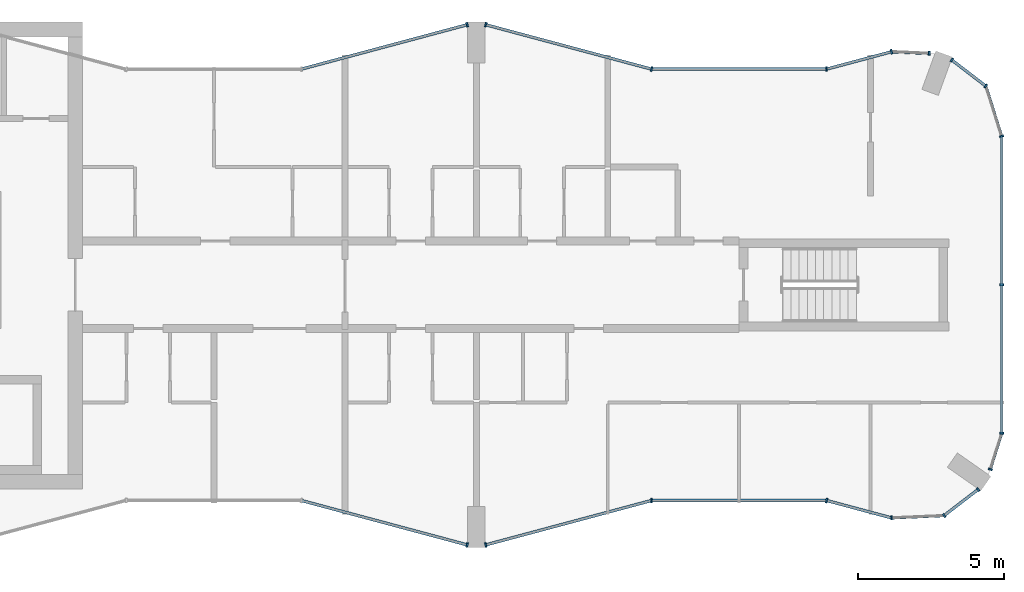
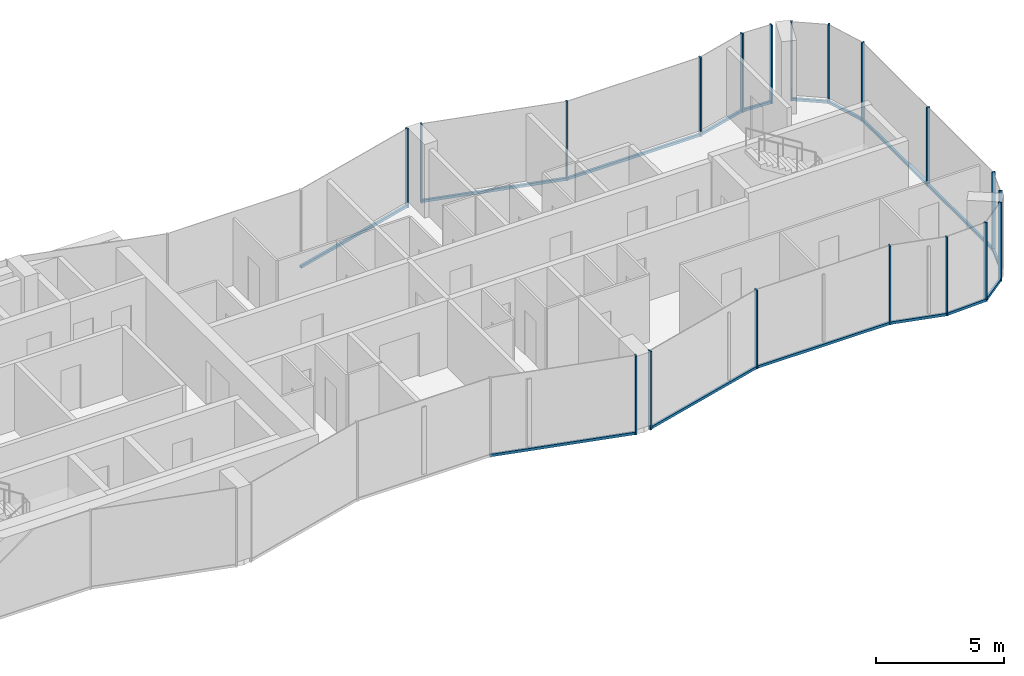
# One storey, part 5 of 9: 34 members, 15 elements without a shape of their own.
"""IFC4 building model written with IfcOpenShell, lengths in metres."""

from ifc_helpers import new_model, si_unit, direction, frame, origin, origin_2d, place, context, subcontext, project, spatial, rectangle, extrude, material, layer, layer_set, material_profile, profile_set, type_object, element, aggregate, save


model = new_model("IFC4")

# Units and contexts
model_context = context("Model", 3, precision=1e-05, world=origin(), true_north=direction((0.0, 1.0)))
body_context = subcontext(model_context, "Body", "Model", "MODEL_VIEW")
ifc_project = project(units=[si_unit("LENGTHUNIT", "METRE"), si_unit("AREAUNIT", "SQUARE_METRE"), si_unit("VOLUMEUNIT", "CUBIC_METRE"), si_unit("PLANEANGLEUNIT", "RADIAN"), si_unit("MASSUNIT", "GRAM", prefix="KILO")], contexts=[model_context])

# Site, building, storey
site_placement = place(None, origin())
site = spatial("IfcSite", under=ifc_project, at=site_placement, CompositionType="ELEMENT")
building_placement = place(site_placement, origin())
building = spatial("IfcBuilding", under=site, at=building_placement, Name="Plateau Cross Towers", CompositionType="ELEMENT")
storey_placement = place(building_placement, frame((0.0, 0.0, 232.89990234375)))
storey = spatial("IfcBuildingStorey", under=building, at=storey_placement, Name="L61", CompositionType="ELEMENT", Elevation=232.89990234375)

# Curtain wall, member
ifc_material_1 = material(Name="Dark low-iron glass", Category="glass")
ifc_layer_1 = layer(ifc_material_1, 0.239990234375)
ifc_layer_set_1 = layer_set([ifc_layer_1], Name="Dark low-iron glass")
curtain_wall_type_1 = type_object("IfcCurtainWallType", Name="Curtain wall flush unitised CW-B", PredefinedType="NOTDEFINED", material=ifc_layer_set_1)
curtain_wall_1_placement = place(storey_placement, origin())
curtain_wall_1 = element("IfcCurtainWall", 1, at=curtain_wall_1_placement, inside=storey, type_object=curtain_wall_type_1, Name="ENV/A/L61/A502_10", PredefinedType="NOTDEFINED")
ifc_material_2 = material(Name="Black anodised aluminium", Category="aluminium")
ifc_material_profile_1 = material_profile(ifc_material_2, rectangle(XDim=0.06005859375, YDim=0.139892578125, at=origin_2d()), Name="MULLION 60x140")
ifc_profile_set_1 = profile_set([ifc_material_profile_1], Name="Black anodised aluminium")
member_type_1 = type_object("IfcMemberType", Name="Mullion 60x140 flush unitised", PredefinedType="MULLION", material=ifc_profile_set_1)
member_1_placement = place(storey_placement, frame((50.223876953125, 1.01123046875, -0.25), z_axis=(0.0, 0.0, 1.0), x_axis=(0.999043701491, 0.043722791671, 0.0)))
member_1 = element("IfcMember", 2, at=member_1_placement, type_object=member_type_1, Name="CW-B mullion 1", PredefinedType="MULLION", context=body_context, shape_type="SweptSolid", body=[
    extrude(rectangle(XDim=0.06005859375, YDim=0.139892578125, at=origin_2d()), origin(), (0.0, 0.0, 1.0), 3.75),
])

# Curtain wall, members
curtain_wall_2_placement = place(storey_placement, origin())
curtain_wall_2 = element("IfcCurtainWall", 3, at=curtain_wall_2_placement, inside=storey, type_object=curtain_wall_type_1, Name="ENV/A/L61/A520_11", PredefinedType="NOTDEFINED")
member_2_placement = place(storey_placement, frame((52.0263671875, 1.090087890625, -0.25), z_axis=(0.0, 0.0, 1.0), x_axis=(0.793315514529, 0.608810721331, 0.0)))
member_2 = element("IfcMember", 4, at=member_2_placement, type_object=member_type_1, Name="CW-B mullion 1", PredefinedType="MULLION", context=body_context, shape_type="SweptSolid", body=[
    extrude(rectangle(XDim=0.06005859375, YDim=0.139892578125, at=origin_2d()), origin(), (0.0, 0.0, 1.0), 3.75),
])
member_3_placement = place(storey_placement, frame((53.193603515625, 1.986083984375, -0.25), z_axis=(0.0, 0.0, 1.0), x_axis=(0.793315514529, 0.608810721331, 0.0)))
member_3 = element("IfcMember", 5, at=member_3_placement, type_object=member_type_1, Name="CW-B mullion 2", PredefinedType="MULLION", context=body_context, shape_type="SweptSolid", body=[
    extrude(rectangle(XDim=0.06005859375, YDim=0.139892578125, at=origin_2d()), origin(), (0.0, 0.0, 1.0), 3.75),
])

# Curtain wall, member
curtain_wall_3_placement = place(storey_placement, origin())
curtain_wall_3 = element("IfcCurtainWall", 6, at=curtain_wall_3_placement, inside=storey, type_object=curtain_wall_type_1, Name="ENV/A/L61/A536_27", PredefinedType="NOTDEFINED")
member_4_placement = place(storey_placement, frame((53.611083984375, 2.67529296875, -0.25), z_axis=(0.0, 0.0, 1.0), x_axis=(0.300686174994, 0.95372313811, 0.0)))
member_4 = element("IfcMember", 7, at=member_4_placement, type_object=member_type_1, Name="CW-B mullion 1", PredefinedType="MULLION", context=body_context, shape_type="SweptSolid", body=[
    extrude(rectangle(XDim=0.06005859375, YDim=0.139892578125, at=origin_2d()), origin(), (0.0, 0.0, 1.0), 3.75),
])

# Curtain wall, members
curtain_wall_4_placement = place(storey_placement, origin())
curtain_wall_4 = element("IfcCurtainWall", 8, at=curtain_wall_4_placement, inside=storey, type_object=curtain_wall_type_1, Name="ENV/A/L61/A540_39", PredefinedType="NOTDEFINED")
member_5_placement = place(storey_placement, frame((54.0, 3.9091796875, -0.25), z_axis=(0.0, 0.0, 1.0), x_axis=(0.0, 1.0, 0.0)))
member_5 = element("IfcMember", 9, at=member_5_placement, type_object=member_type_1, Name="CW-B mullion 1", PredefinedType="MULLION", context=body_context, shape_type="SweptSolid", body=[
    extrude(rectangle(XDim=0.06005859375, YDim=0.139892578125, at=origin_2d()), origin(), (0.0, 0.0, 1.0), 3.75),
])
member_6_placement = place(storey_placement, frame((54.0, 9.0, -0.25), z_axis=(0.0, 0.0, 1.0), x_axis=(0.0, 1.0, 0.0)))
member_6 = element("IfcMember", 10, at=member_6_placement, type_object=member_type_1, Name="CW-B mullion 2", PredefinedType="MULLION", context=body_context, shape_type="SweptSolid", body=[
    extrude(rectangle(XDim=0.06005859375, YDim=0.139892578125, at=origin_2d()), origin(), (0.0, 0.0, 1.0), 3.75),
])

# Curtain wall, member
curtain_wall_5_placement = place(storey_placement, origin())
curtain_wall_5 = element("IfcCurtainWall", 11, at=curtain_wall_5_placement, inside=storey, type_object=curtain_wall_type_1, Name="ENV/A/L61/A540_141", PredefinedType="NOTDEFINED")
member_7_placement = place(storey_placement, frame((54.0, 14.0908203125, -0.25), z_axis=(0.0, 0.0, 1.0), x_axis=(-0.300686174994, 0.95372313811, 0.0)))
member_7 = element("IfcMember", 12, at=member_7_placement, type_object=member_type_1, Name="CW-B mullion 1", PredefinedType="MULLION", context=body_context, shape_type="SweptSolid", body=[
    extrude(rectangle(XDim=0.06005859375, YDim=0.139892578125, at=origin_2d()), origin(), (0.0, 0.0, 1.0), 3.75),
])

# Curtain wall, members
curtain_wall_6_placement = place(storey_placement, origin())
curtain_wall_6 = element("IfcCurtainWall", 13, at=curtain_wall_6_placement, inside=storey, type_object=curtain_wall_type_1, Name="ENV/A/L61/A535_158", PredefinedType="NOTDEFINED")
member_8_placement = place(storey_placement, frame((53.45751953125, 15.8115234375, -0.25), z_axis=(0.0, 0.0, 1.0), x_axis=(-0.793315514529, 0.608810721331, 0.0)))
member_8 = element("IfcMember", 14, at=member_8_placement, type_object=member_type_1, Name="CW-B mullion 1", PredefinedType="MULLION", context=body_context, shape_type="SweptSolid", body=[
    extrude(rectangle(XDim=0.06005859375, YDim=0.139892578125, at=origin_2d()), origin(), (0.0, 0.0, 1.0), 3.75),
])
member_9_placement = place(storey_placement, frame((52.290283203125, 16.707275390625, -0.25), z_axis=(0.0, 0.0, 1.0), x_axis=(-0.793315514529, 0.608810721331, 0.0)))
member_9 = element("IfcMember", 15, at=member_9_placement, type_object=member_type_1, Name="CW-B mullion 2", PredefinedType="MULLION", context=body_context, shape_type="SweptSolid", body=[
    extrude(rectangle(XDim=0.06005859375, YDim=0.139892578125, at=origin_2d()), origin(), (0.0, 0.0, 1.0), 3.75),
])

# Curtain wall, member
curtain_wall_7_placement = place(storey_placement, origin())
curtain_wall_7 = element("IfcCurtainWall", 16, at=curtain_wall_7_placement, inside=storey, type_object=curtain_wall_type_1, Name="ENV/A/L61/A515_169", PredefinedType="NOTDEFINED")
member_10_placement = place(storey_placement, frame((51.516357421875, 16.93212890625, -0.25), z_axis=(0.0, 0.0, 1.0), x_axis=(-0.999043701491, 0.043722791671, 0.0)))
member_10 = element("IfcMember", 17, at=member_10_placement, type_object=member_type_1, Name="CW-B mullion 1", PredefinedType="MULLION", context=body_context, shape_type="SweptSolid", body=[
    extrude(rectangle(XDim=0.06005859375, YDim=0.139892578125, at=origin_2d()), origin(), (0.0, 0.0, 1.0), 3.75),
])

ifc_layer_2 = layer(ifc_material_1, 0.260009765625)
ifc_layer_set_2 = layer_set([ifc_layer_2], Name="Dark low-iron glass")
curtain_wall_type_2 = type_object("IfcCurtainWallType", Name="Curtain wall fluted unitised CW-A", PredefinedType="NOTDEFINED", material=ifc_layer_set_2)
curtain_wall_8_placement = place(storey_placement, origin())
curtain_wall_8 = element("IfcCurtainWall", 18, at=curtain_wall_8_placement, inside=storey, type_object=curtain_wall_type_2, Name="ENV/A/L61/A300_16", PredefinedType="NOTDEFINED")
ifc_material_profile_2 = material_profile(ifc_material_2, rectangle(XDim=0.06005859375, YDim=0.159912109375, at=origin_2d()), Name="MULLION 60x160")
ifc_profile_set_2 = profile_set([ifc_material_profile_2], Name="Black anodised aluminium")
member_type_2 = type_object("IfcMemberType", Name="Mullion 60x160 fluted unitised", PredefinedType="MULLION", material=ifc_profile_set_2)
member_11_placement = place(storey_placement, frame((35.68212890625, 0.085205078125, -0.25), z_axis=(0.0, 0.0, 1.0), x_axis=(0.965957983404, -0.258699003279, 0.0)))
member_11 = element("IfcMember", 19, at=member_11_placement, type_object=member_type_2, Name="CW-A mullion 2", PredefinedType="MULLION", context=body_context, shape_type="SweptSolid", body=[
    extrude(rectangle(XDim=0.06005859375, YDim=0.159912109375, at=origin_2d()), origin(), (0.0, 0.0, 1.0), 3.75),
])

curtain_wall_9_placement = place(storey_placement, origin())
curtain_wall_9 = element("IfcCurtainWall", 20, at=curtain_wall_9_placement, inside=storey, type_object=curtain_wall_type_2, Name="ENV/A/L61/A363_1", PredefinedType="NOTDEFINED")
member_12_placement = place(storey_placement, frame((36.31787109375, 0.085205078125, -0.25), z_axis=(0.0, 0.0, 1.0), x_axis=(0.965957983404, 0.258699003279, 0.0)))
member_12 = element("IfcMember", 21, at=member_12_placement, type_object=member_type_2, Name="CW-A mullion 1", PredefinedType="MULLION", context=body_context, shape_type="SweptSolid", body=[
    extrude(rectangle(XDim=0.06005859375, YDim=0.159912109375, at=origin_2d()), origin(), (0.0, 0.0, 1.0), 3.75),
])

curtain_wall_10_placement = place(storey_placement, origin())
curtain_wall_10 = element("IfcCurtainWall", 22, at=curtain_wall_10_placement, inside=storey, type_object=curtain_wall_type_2, Name="ENV/A/L61/A420_16", PredefinedType="NOTDEFINED")
member_13_placement = place(storey_placement, frame((42.0, 1.60693359375, -0.25), z_axis=(0.0, 0.0, 1.0), x_axis=(1.0, 0.0, 0.0)))
member_13 = element("IfcMember", 23, at=member_13_placement, type_object=member_type_2, Name="CW-A mullion 1", PredefinedType="MULLION", context=body_context, shape_type="SweptSolid", body=[
    extrude(rectangle(XDim=0.06005859375, YDim=0.159912109375, at=origin_2d()), origin(), (0.0, 0.0, 1.0), 3.75),
])

curtain_wall_11_placement = place(storey_placement, origin())
curtain_wall_11 = element("IfcCurtainWall", 24, at=curtain_wall_11_placement, inside=storey, type_object=curtain_wall_type_2, Name="ENV/A/L61/A480_16", PredefinedType="NOTDEFINED")
member_14_placement = place(storey_placement, frame((48.0, 1.60693359375, -0.25), z_axis=(0.0, 0.0, 1.0), x_axis=(0.965957962328, -0.258699081978, 0.0)))
member_14 = element("IfcMember", 25, at=member_14_placement, type_object=member_type_2, Name="CW-A mullion 1", PredefinedType="MULLION", context=body_context, shape_type="SweptSolid", body=[
    extrude(rectangle(XDim=0.06005859375, YDim=0.159912109375, at=origin_2d()), origin(), (0.0, 0.0, 1.0), 3.75),
])

curtain_wall_12_placement = place(storey_placement, origin())
curtain_wall_12 = element("IfcCurtainWall", 26, at=curtain_wall_12_placement, inside=storey, type_object=curtain_wall_type_2, Name="ENV/A/L61/A502_170", PredefinedType="NOTDEFINED")
member_15_placement = place(storey_placement, frame((50.223876953125, 16.98876953125, -0.25), z_axis=(0.0, 0.0, 1.0), x_axis=(-0.965957962328, -0.258699081978, 0.0)))
member_15 = element("IfcMember", 27, at=member_15_placement, type_object=member_type_2, Name="CW-A mullion 1", PredefinedType="MULLION", context=body_context, shape_type="SweptSolid", body=[
    extrude(rectangle(XDim=0.06005859375, YDim=0.159912109375, at=origin_2d()), origin(), (0.0, 0.0, 1.0), 3.75),
])

curtain_wall_13_placement = place(storey_placement, origin())
curtain_wall_13 = element("IfcCurtainWall", 28, at=curtain_wall_13_placement, inside=storey, type_object=curtain_wall_type_2, Name="ENV/A/L61/A480_164", PredefinedType="NOTDEFINED")
member_16_placement = place(storey_placement, frame((48.0, 16.39306640625, -0.25), z_axis=(0.0, 0.0, 1.0), x_axis=(-1.0, 0.0, 0.0)))
member_16 = element("IfcMember", 29, at=member_16_placement, type_object=member_type_2, Name="CW-A mullion 1", PredefinedType="MULLION", context=body_context, shape_type="SweptSolid", body=[
    extrude(rectangle(XDim=0.06005859375, YDim=0.159912109375, at=origin_2d()), origin(), (0.0, 0.0, 1.0), 3.75),
])

# Curtain wall, members
curtain_wall_14_placement = place(storey_placement, origin())
curtain_wall_14 = element("IfcCurtainWall", 30, at=curtain_wall_14_placement, inside=storey, type_object=curtain_wall_type_2, Name="ENV/A/L61/A420_164", PredefinedType="NOTDEFINED")
member_17_placement = place(storey_placement, frame((42.0, 16.39306640625, -0.25), z_axis=(0.0, 0.0, 1.0), x_axis=(-0.965957983404, 0.258699003279, 0.0)))
member_17 = element("IfcMember", 31, at=member_17_placement, type_object=member_type_2, Name="CW-A mullion 1", PredefinedType="MULLION", context=body_context, shape_type="SweptSolid", body=[
    extrude(rectangle(XDim=0.06005859375, YDim=0.159912109375, at=origin_2d()), origin(), (0.0, 0.0, 1.0), 3.75),
])
member_18_placement = place(storey_placement, frame((36.31787109375, 17.914794921875, -0.25), z_axis=(0.0, 0.0, 1.0), x_axis=(-0.965957983404, 0.258699003279, 0.0)))
member_18 = element("IfcMember", 32, at=member_18_placement, type_object=member_type_2, Name="CW-A mullion 2", PredefinedType="MULLION", context=body_context, shape_type="SweptSolid", body=[
    extrude(rectangle(XDim=0.06005859375, YDim=0.159912109375, at=origin_2d()), origin(), (0.0, 0.0, 1.0), 3.75),
])

# Curtain wall, member
curtain_wall_15_placement = place(storey_placement, origin())
curtain_wall_15 = element("IfcCurtainWall", 33, at=curtain_wall_15_placement, inside=storey, type_object=curtain_wall_type_2, Name="ENV/A/L61/A357_179", PredefinedType="NOTDEFINED")
member_19_placement = place(storey_placement, frame((35.68212890625, 17.914794921875, -0.25), z_axis=(0.0, 0.0, 1.0), x_axis=(-0.965957983404, -0.258699003279, 0.0)))
member_19 = element("IfcMember", 34, at=member_19_placement, type_object=member_type_2, Name="CW-A mullion 1", PredefinedType="MULLION", context=body_context, shape_type="SweptSolid", body=[
    extrude(rectangle(XDim=0.06005859375, YDim=0.159912109375, at=origin_2d()), origin(), (0.0, 0.0, 1.0), 3.75),
])

# Member
ifc_material_profile_3 = material_profile(ifc_material_2, rectangle(XDim=0.10009765625, YDim=0.1201171875, at=origin_2d()), Name="TRANSOM 100x120")
ifc_profile_set_3 = profile_set([ifc_material_profile_3], Name="Black anodised aluminium")
member_type_3 = type_object("IfcMemberType", Name="Transom 100x120 flush unitised", PredefinedType="USERDEFINED", material=ifc_profile_set_3)
member_20_placement = place(storey_placement, frame((50.223876953125, 1.01123046875, -0.18994140625), z_axis=(0.999044377355, 0.043707345779, 0.0), x_axis=(-0.043707345779, 0.999044377355, 0.0)))
member_20 = element("IfcMember", 35, at=member_20_placement, type_object=member_type_3, Name="CW-B transom", ObjectType="TRANSOM", PredefinedType="USERDEFINED", context=body_context, shape_type="SweptSolid", body=[
    extrude(rectangle(XDim=0.10009765625, YDim=0.1201171875, at=origin_2d()), origin(), (0.0, 0.0, 1.0), 1.80419921875),
])

aggregate(curtain_wall_1, [member_1, member_20])

member_21_placement = place(storey_placement, frame((52.0263671875, 1.090087890625, -0.18994140625), z_axis=(0.793240368515, 0.608908628415, 0.0), x_axis=(-0.608908628415, 0.793240368515, 0.0)))
member_21 = element("IfcMember", 36, at=member_21_placement, type_object=member_type_3, Name="CW-B transom", ObjectType="TRANSOM", PredefinedType="USERDEFINED", context=body_context, shape_type="SweptSolid", body=[
    extrude(rectangle(XDim=0.10009765625, YDim=0.1201171875, at=origin_2d()), origin(), (0.0, 0.0, 1.0), 1.471435546875),
])

aggregate(curtain_wall_2, [member_2, member_3, member_21])

member_22_placement = place(storey_placement, frame((53.611083984375, 2.67529296875, -0.18994140625), z_axis=(0.300616528216, 0.953745093284, 0.0), x_axis=(-0.953745093284, 0.300616528216, 0.0)))
member_22 = element("IfcMember", 37, at=member_22_placement, type_object=member_type_3, Name="CW-B transom", ObjectType="TRANSOM", PredefinedType="USERDEFINED", context=body_context, shape_type="SweptSolid", body=[
    extrude(rectangle(XDim=0.10009765625, YDim=0.1201171875, at=origin_2d()), origin(), (0.0, 0.0, 1.0), 1.293701171875),
])

aggregate(curtain_wall_3, [member_4, member_22])

member_23_placement = place(storey_placement, frame((54.0, 3.9091796875, -0.18994140625), z_axis=(0.0, 1.0, 0.0), x_axis=(-1.0, 0.0, 0.0)))
member_23 = element("IfcMember", 38, at=member_23_placement, type_object=member_type_3, Name="CW-B transom", ObjectType="TRANSOM", PredefinedType="USERDEFINED", context=body_context, shape_type="SweptSolid", body=[
    extrude(rectangle(XDim=0.10009765625, YDim=0.1201171875, at=origin_2d()), origin(), (0.0, 0.0, 1.0), 10.181640625),
])

aggregate(curtain_wall_4, [member_5, member_6, member_23])

member_24_placement = place(storey_placement, frame((54.0, 14.0908203125, -0.18994140625), z_axis=(-0.30067799945, 0.953725715626, 0.0), x_axis=(-0.953725715626, -0.30067799945, 0.0)))
member_24 = element("IfcMember", 39, at=member_24_placement, type_object=member_type_3, Name="CW-B transom", ObjectType="TRANSOM", PredefinedType="USERDEFINED", context=body_context, shape_type="SweptSolid", body=[
    extrude(rectangle(XDim=0.10009765625, YDim=0.1201171875, at=origin_2d()), origin(), (0.0, 0.0, 1.0), 1.80419921875),
])

aggregate(curtain_wall_5, [member_7, member_24])

member_25_placement = place(storey_placement, frame((53.45751953125, 15.8115234375, -0.18994140625), z_axis=(-0.793320508571, 0.608804213751, 0.0), x_axis=(-0.608804213751, -0.793320508571, 0.0)))
member_25 = element("IfcMember", 40, at=member_25_placement, type_object=member_type_3, Name="CW-B transom", ObjectType="TRANSOM", PredefinedType="USERDEFINED", context=body_context, shape_type="SweptSolid", body=[
    extrude(rectangle(XDim=0.10009765625, YDim=0.1201171875, at=origin_2d()), origin(), (0.0, 0.0, 1.0), 1.471435546875),
])

aggregate(curtain_wall_6, [member_8, member_9, member_25])

member_26_placement = place(storey_placement, frame((51.516357421875, 16.93212890625, -0.18994140625), z_axis=(-0.999041144614, 0.043781175963, 0.0), x_axis=(-0.043781175963, -0.999041144614, 0.0)))
member_26 = element("IfcMember", 41, at=member_26_placement, type_object=member_type_3, Name="CW-B transom", ObjectType="TRANSOM", PredefinedType="USERDEFINED", context=body_context, shape_type="SweptSolid", body=[
    extrude(rectangle(XDim=0.10009765625, YDim=0.1201171875, at=origin_2d()), origin(), (0.0, 0.0, 1.0), 1.293701171875),
])

aggregate(curtain_wall_7, [member_10, member_26])

ifc_material_profile_4 = material_profile(ifc_material_2, rectangle(XDim=0.10009765625, YDim=0.1201171875, at=origin_2d()), Name="TRANSOM 100x120")
ifc_profile_set_4 = profile_set([ifc_material_profile_4], Name="Black anodised aluminium")
member_type_4 = type_object("IfcMemberType", Name="Transom 100x120 fluted unitised", PredefinedType="USERDEFINED", material=ifc_profile_set_4)
member_27_placement = place(storey_placement, frame((30.0, 1.60693359375, -0.18994140625), z_axis=(0.965959534794, -0.258693210465, 0.0), x_axis=(0.258693210465, 0.965959534794, 0.0)))
member_27 = element("IfcMember", 42, at=member_27_placement, type_object=member_type_4, Name="CW-A transom", ObjectType="TRANSOM", PredefinedType="USERDEFINED", context=body_context, shape_type="SweptSolid", body=[
    extrude(rectangle(XDim=0.10009765625, YDim=0.1201171875, at=origin_2d()), origin(), (0.0, 0.0, 1.0), 5.88232421875),
])

aggregate(curtain_wall_8, [member_11, member_27])

member_28_placement = place(storey_placement, frame((36.31787109375, 0.085205078125, -0.18994140625), z_axis=(0.965959534794, 0.258693210465, 0.0), x_axis=(-0.258693210465, 0.965959534794, 0.0)))
member_28 = element("IfcMember", 43, at=member_28_placement, type_object=member_type_4, Name="CW-A transom", ObjectType="TRANSOM", PredefinedType="USERDEFINED", context=body_context, shape_type="SweptSolid", body=[
    extrude(rectangle(XDim=0.10009765625, YDim=0.1201171875, at=origin_2d()), origin(), (0.0, 0.0, 1.0), 5.88232421875),
])

aggregate(curtain_wall_9, [member_12, member_28])

member_29_placement = place(storey_placement, frame((42.0, 1.60693359375, -0.18994140625), z_axis=(1.0, 0.0, 0.0), x_axis=(0.0, 1.0, 0.0)))
member_29 = element("IfcMember", 44, at=member_29_placement, type_object=member_type_4, Name="CW-A transom", ObjectType="TRANSOM", PredefinedType="USERDEFINED", context=body_context, shape_type="SweptSolid", body=[
    extrude(rectangle(XDim=0.10009765625, YDim=0.1201171875, at=origin_2d()), origin(), (0.0, 0.0, 1.0), 6.0),
])

aggregate(curtain_wall_10, [member_13, member_29])

member_30_placement = place(storey_placement, frame((48.0, 1.60693359375, -0.18994140625), z_axis=(0.965945685136, -0.258744919501, 0.0), x_axis=(0.258744919501, 0.965945685136, 0.0)))
member_30 = element("IfcMember", 45, at=member_30_placement, type_object=member_type_4, Name="CW-A transom", ObjectType="TRANSOM", PredefinedType="USERDEFINED", context=body_context, shape_type="SweptSolid", body=[
    extrude(rectangle(XDim=0.10009765625, YDim=0.1201171875, at=origin_2d()), origin(), (0.0, 0.0, 1.0), 2.30224609375),
])

aggregate(curtain_wall_11, [member_14, member_30])

member_31_placement = place(storey_placement, frame((50.223876953125, 16.98876953125, -0.18994140625), z_axis=(-0.965945685136, -0.258744919501, 0.0), x_axis=(0.258744919501, -0.965945685136, 0.0)))
member_31 = element("IfcMember", 46, at=member_31_placement, type_object=member_type_4, Name="CW-A transom", ObjectType="TRANSOM", PredefinedType="USERDEFINED", context=body_context, shape_type="SweptSolid", body=[
    extrude(rectangle(XDim=0.10009765625, YDim=0.1201171875, at=origin_2d()), origin(), (0.0, 0.0, 1.0), 2.30224609375),
])

aggregate(curtain_wall_12, [member_15, member_31])

member_32_placement = place(storey_placement, frame((48.0, 16.39306640625, -0.18994140625), z_axis=(-1.0, 0.0, 0.0), x_axis=(0.0, -1.0, 0.0)))
member_32 = element("IfcMember", 47, at=member_32_placement, type_object=member_type_4, Name="CW-A transom", ObjectType="TRANSOM", PredefinedType="USERDEFINED", context=body_context, shape_type="SweptSolid", body=[
    extrude(rectangle(XDim=0.10009765625, YDim=0.1201171875, at=origin_2d()), origin(), (0.0, 0.0, 1.0), 6.0),
])

aggregate(curtain_wall_13, [member_16, member_32])

member_33_placement = place(storey_placement, frame((42.0, 16.39306640625, -0.18994140625), z_axis=(-0.965959534794, 0.258693210465, 0.0), x_axis=(-0.258693210465, -0.965959534794, 0.0)))
member_33 = element("IfcMember", 48, at=member_33_placement, type_object=member_type_4, Name="CW-A transom", ObjectType="TRANSOM", PredefinedType="USERDEFINED", context=body_context, shape_type="SweptSolid", body=[
    extrude(rectangle(XDim=0.10009765625, YDim=0.1201171875, at=origin_2d()), origin(), (0.0, 0.0, 1.0), 5.88232421875),
])

aggregate(curtain_wall_14, [member_17, member_18, member_33])

member_34_placement = place(storey_placement, frame((35.68212890625, 17.914794921875, -0.18994140625), z_axis=(-0.965959534794, -0.258693210465, 0.0), x_axis=(0.258693210465, -0.965959534794, 0.0)))
member_34 = element("IfcMember", 49, at=member_34_placement, type_object=member_type_4, Name="CW-A transom", ObjectType="TRANSOM", PredefinedType="USERDEFINED", context=body_context, shape_type="SweptSolid", body=[
    extrude(rectangle(XDim=0.10009765625, YDim=0.1201171875, at=origin_2d()), origin(), (0.0, 0.0, 1.0), 5.88232421875),
])

aggregate(curtain_wall_15, [member_19, member_34])

save(model, "model.ifc")
